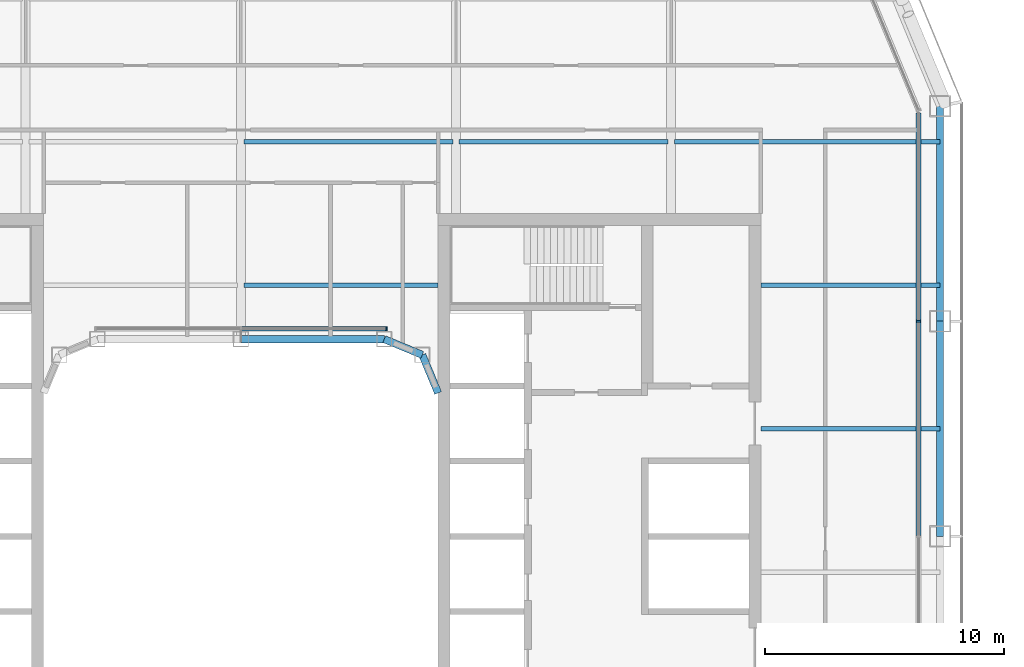
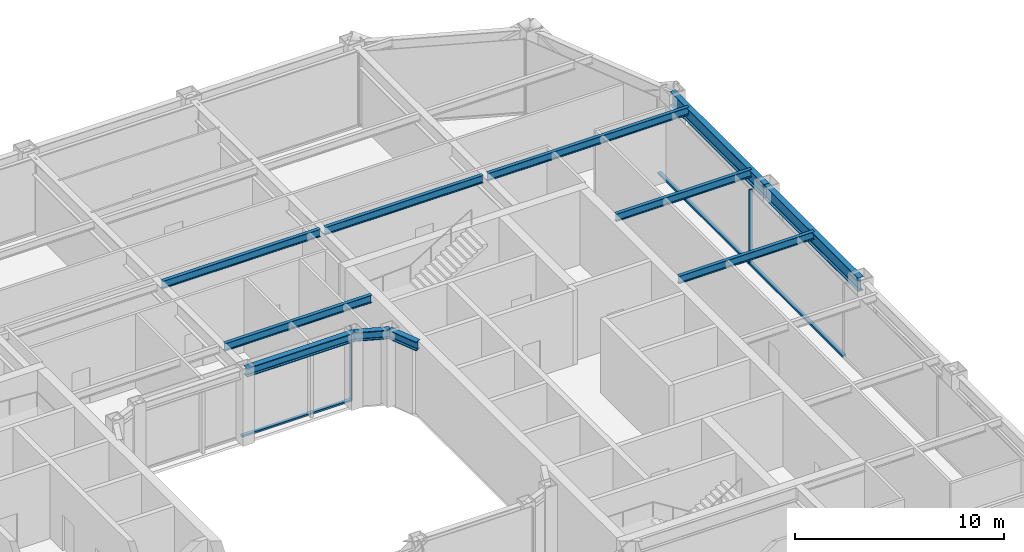
# One storey, part 8 of 23: 11 beams, 5 members, 2 elements without a shape of their own.
"""IFC4 building model written with IfcOpenShell, lengths in metres."""

from ifc_helpers import new_model, si_unit, direction, frame, origin, origin_2d, place, context, subcontext, project, spatial, rectangle, i_section, extrude, material, layer, layer_set, material_profile, profile_set, type_object, element, aggregate, save


model = new_model("IFC4")

# Units and contexts
model_context = context("Model", 3, precision=1e-05, world=origin(), true_north=direction((0.0, 1.0)))
body_context = subcontext(model_context, "Body", "Model", "MODEL_VIEW")
ifc_project = project(units=[si_unit("LENGTHUNIT", "METRE"), si_unit("AREAUNIT", "SQUARE_METRE"), si_unit("VOLUMEUNIT", "CUBIC_METRE"), si_unit("PLANEANGLEUNIT", "RADIAN"), si_unit("MASSUNIT", "GRAM", prefix="KILO")], contexts=[model_context])

# Site, building, storey
site_placement = place(None, origin())
site = spatial("IfcSite", under=ifc_project, at=site_placement, CompositionType="ELEMENT")
building_placement = place(site_placement, origin())
building = spatial("IfcBuilding", under=site, at=building_placement, Name="Siwar Civic Tower", CompositionType="ELEMENT")
storey_placement = place(building_placement, frame((0.0, 0.0, 145.199951171875)))
storey = spatial("IfcBuildingStorey", under=building, at=storey_placement, Name="L31", CompositionType="ELEMENT", Elevation=145.199951171875)

# Curtain wall, member
ifc_material_1 = material(Name="Aluminium and glass", Category="aluminium")
ifc_layer_1 = layer(ifc_material_1, 0.199951171875)
ifc_layer_set_1 = layer_set([ifc_layer_1], Name="Aluminium and glass")
curtain_wall_type_1 = type_object("IfcCurtainWallType", Name="ENV-CW-B", PredefinedType="NOTDEFINED", material=ifc_layer_set_1)
curtain_wall_1_placement = place(storey_placement, origin())
curtain_wall_1 = element("IfcCurtainWall", 1, at=curtain_wall_1_placement, inside=storey, type_object=curtain_wall_type_1, Name="Curtain wall B E", PredefinedType="NOTDEFINED")
ifc_material_2 = material(Name="Aluminium 6063-T6", Category="aluminium")
ifc_material_profile_1 = material_profile(ifc_material_2, rectangle(XDim=0.199951171875, YDim=0.06494140625, at=origin_2d()), Name="AL 200x65")
ifc_profile_set_1 = profile_set([ifc_material_profile_1], Name="Aluminium 6063-T6")
member_type_1 = type_object("IfcMemberType", Name="ENV-MULLION-B", PredefinedType="MULLION", material=ifc_profile_set_1)
member_1_placement = place(storey_placement, frame((28.35009765625, 9.0, 0.0), z_axis=(0.0, 0.0, 1.0), x_axis=(-1.0, 0.0, 0.0)))
member_1 = element("IfcMember", 2, at=member_1_placement, type_object=member_type_1, Name="Mullion B E 4", PredefinedType="MULLION", context=body_context, shape_type="SweptSolid", body=[
    extrude(rectangle(XDim=0.199951171875, YDim=0.06494140625, at=origin_2d()), origin(), (0.0, 0.0, 1.0), 4.35009765625),
])

ifc_material_3 = material(Name="Aluminium and glass", Category="aluminium")
ifc_layer_2 = layer(ifc_material_3, 0.179931640625)
ifc_layer_set_2 = layer_set([ifc_layer_2], Name="Aluminium and glass")
curtain_wall_type_2 = type_object("IfcCurtainWallType", Name="ENV-CW-W", PredefinedType="NOTDEFINED", material=ifc_layer_set_2)
curtain_wall_2_placement = place(storey_placement, origin())
curtain_wall_2 = element("IfcCurtainWall", 3, at=curtain_wall_2_placement, inside=storey, type_object=curtain_wall_type_2, Name="Curtain wall W WN", PredefinedType="NOTDEFINED")
ifc_material_4 = material(Name="Aluminium 6063-T6", Category="aluminium")
ifc_material_profile_2 = material_profile(ifc_material_4, rectangle(XDim=0.179931640625, YDim=0.06005859375, at=origin_2d()), Name="AL 180x60")
ifc_profile_set_2 = profile_set([ifc_material_profile_2], Name="Aluminium 6063-T6")
member_type_2 = type_object("IfcMemberType", Name="ENV-MULLION-W", PredefinedType="MULLION", material=ifc_profile_set_2)
member_2_placement = place(storey_placement, frame((6.08642578125, 8.68505859375, 0.0), z_axis=(0.0, 0.0, 1.0), x_axis=(0.0, -1.0, 0.0)))
member_2 = element("IfcMember", 4, at=member_2_placement, type_object=member_type_2, Name="Mullion W WN 1", PredefinedType="MULLION", context=body_context, shape_type="SweptSolid", body=[
    extrude(rectangle(XDim=0.179931640625, YDim=0.06005859375, at=origin_2d()), origin(), (0.0, 0.0, 1.0), 4.35009765625),
])

# Member
ifc_material_5 = material(Name="Aluminium 6063-T6", Category="aluminium")
ifc_material_profile_3 = material_profile(ifc_material_5, rectangle(XDim=0.199951171875, YDim=0.110107421875, at=origin_2d()), Name="AL 200x110")
ifc_profile_set_3 = profile_set([ifc_material_profile_3], Name="Aluminium 6063-T6")
member_type_3 = type_object("IfcMemberType", Name="ENV-TRANSOM-B", PredefinedType="USERDEFINED", material=ifc_profile_set_3)
member_3_placement = place(storey_placement, frame((28.35009765625, 0.032470703125, 0.054931640625), z_axis=(0.0, 1.0, 0.0), x_axis=(-1.0, 0.0, 0.0)))
member_3 = element("IfcMember", 5, at=member_3_placement, type_object=member_type_3, Name="Transom B E 3", ObjectType="TRANSOM", PredefinedType="USERDEFINED", context=body_context, shape_type="SweptSolid", body=[
    extrude(rectangle(XDim=0.199951171875, YDim=0.110107421875, at=origin_2d()), origin(), (0.0, 0.0, 1.0), 8.93505859375),
])

member_4_placement = place(storey_placement, frame((28.35009765625, 9.032470703125, 0.054931640625), z_axis=(0.0, 1.0, 0.0), x_axis=(-1.0, 0.0, 0.0)))
member_4 = element("IfcMember", 6, at=member_4_placement, type_object=member_type_3, Name="Transom B E 4", ObjectType="TRANSOM", PredefinedType="USERDEFINED", context=body_context, shape_type="SweptSolid", body=[
    extrude(rectangle(XDim=0.199951171875, YDim=0.110107421875, at=origin_2d()), origin(), (0.0, 0.0, 1.0), 8.6748046875),
])

aggregate(curtain_wall_1, [member_1, member_3, member_4])

ifc_material_6 = material(Name="Aluminium 6063-T6", Category="aluminium")
ifc_material_profile_4 = material_profile(ifc_material_6, rectangle(XDim=0.179931640625, YDim=0.10009765625, at=origin_2d()), Name="AL 180x100")
ifc_profile_set_4 = profile_set([ifc_material_profile_4], Name="Aluminium 6063-T6")
member_type_4 = type_object("IfcMemberType", Name="ENV-TRANSOM-W", PredefinedType="USERDEFINED", material=ifc_profile_set_4)
member_5_placement = place(storey_placement, frame((6.056640625, 8.68505859375, 0.050048828125), z_axis=(-1.0, 0.0, 0.0), x_axis=(0.0, -1.0, 0.0)))
member_5 = element("IfcMember", 7, at=member_5_placement, type_object=member_type_4, Name="Transom W WN 1", ObjectType="TRANSOM", PredefinedType="USERDEFINED", context=body_context, shape_type="SweptSolid", body=[
    extrude(rectangle(XDim=0.179931640625, YDim=0.10009765625, at=origin_2d()), origin(), (0.0, 0.0, 1.0), 6.026611328125),
])

aggregate(curtain_wall_2, [member_2, member_5])

# Beams
ifc_material_7 = material(Name="Steel S355", Category="steel")
ifc_material_profile_5 = material_profile(ifc_material_7, i_section(OverallWidth=0.18994140625, OverallDepth=0.449951171875, WebThickness=0.009521484375, FlangeThickness=0.0146484375, FilletRadius=0.02099609375, at=origin_2d()), Name="IPE450")
ifc_profile_set_5 = profile_set([ifc_material_profile_5], Name="Steel S355")
beam_type_1 = type_object("IfcBeamType", Name="STR-FB-IPE450", PredefinedType="JOIST", material=ifc_profile_set_5)
beam_1_placement = place(storey_placement, frame((21.75, 4.5, 4.125), z_axis=(1.0, 0.0, 0.0), x_axis=(0.0, 1.0, 0.0)))
element("IfcBeam", 8, at=beam_1_placement, inside=storey, type_object=beam_type_1, Name="L31/bm/F026", PredefinedType="JOIST", context=body_context, shape_type="SweptSolid", body=[
    extrude(i_section(OverallWidth=0.18994140625, OverallDepth=0.449951171875, WebThickness=0.009521484375, FlangeThickness=0.0146484375, FilletRadius=0.02099609375, at=origin_2d()), origin(), (0.0, 0.0, 1.0), 7.5),
])
beam_2_placement = place(storey_placement, frame((0.1298828125, 10.5, 4.125), z_axis=(1.0, 0.0, 0.0), x_axis=(0.0, 1.0, 0.0)))
element("IfcBeam", 9, at=beam_2_placement, inside=storey, type_object=beam_type_1, Name="L31/bm/F029", PredefinedType="JOIST", context=body_context, shape_type="SweptSolid", body=[
    extrude(i_section(OverallWidth=0.18994140625, OverallDepth=0.449951171875, WebThickness=0.009521484375, FlangeThickness=0.0146484375, FilletRadius=0.02099609375, at=origin_2d()), origin(), (0.0, 0.0, 1.0), 8.1201171875),
])
beam_3_placement = place(storey_placement, frame((21.75, 10.5, 4.125), z_axis=(1.0, 0.0, 0.0), x_axis=(0.0, 1.0, 0.0)))
element("IfcBeam", 10, at=beam_3_placement, inside=storey, type_object=beam_type_1, Name="L31/bm/F030", PredefinedType="JOIST", context=body_context, shape_type="SweptSolid", body=[
    extrude(i_section(OverallWidth=0.18994140625, OverallDepth=0.449951171875, WebThickness=0.009521484375, FlangeThickness=0.0146484375, FilletRadius=0.02099609375, at=origin_2d()), origin(), (0.0, 0.0, 1.0), 7.5),
])
for number, where, z_axis, x_axis, name in (
    (11, (0.1298828125, 16.5, 4.125), (1.0, 0.0, 0.0), (0.0, 1.0, 0.0), "L31/bm/F034"),
    (12, (9.1298828125, 16.5, 4.125), (1.0, 0.0, 0.0), (0.0, 1.0, 0.0), "L31/bm/F035"),
):
    element("IfcBeam", number, at=place(storey_placement, frame(where, z_axis=z_axis, x_axis=x_axis)), inside=storey, type_object=beam_type_1, Name=name, PredefinedType="JOIST", context=body_context, shape_type="SweptSolid", body=[
        extrude(i_section(OverallWidth=0.18994140625, OverallDepth=0.449951171875, WebThickness=0.009521484375, FlangeThickness=0.0146484375, FilletRadius=0.02099609375, at=origin_2d()), origin(), (0.0, 0.0, 1.0), 8.740234375),
    ])
beam_4_placement = place(storey_placement, frame((18.1298828125, 16.5, 4.125), z_axis=(1.0, 0.0, 0.0), x_axis=(0.0, 1.0, 0.0)))
element("IfcBeam", 13, at=beam_4_placement, inside=storey, type_object=beam_type_1, Name="L31/bm/F036", PredefinedType="JOIST", context=body_context, shape_type="SweptSolid", body=[
    extrude(i_section(OverallWidth=0.18994140625, OverallDepth=0.449951171875, WebThickness=0.009521484375, FlangeThickness=0.0146484375, FilletRadius=0.02099609375, at=origin_2d()), origin(), (0.0, 0.0, 1.0), 11.1201171875),
])
ifc_material_8 = material(Name="Steel S355", Category="steel")
ifc_material_profile_6 = material_profile(ifc_material_8, i_section(OverallWidth=0.305908203125, OverallDepth=0.52392578125, WebThickness=0.02099609375, FlangeThickness=0.0400390625, FilletRadius=0.027099609375, at=origin_2d()), Name="HEM500")
ifc_profile_set_6 = profile_set([ifc_material_profile_6], Name="Steel S355")
beam_type_2 = type_object("IfcBeamType", Name="STR-RB-HEM500", PredefinedType="BEAM", material=ifc_profile_set_6)
beam_5_placement = place(storey_placement, frame((0.0, 8.25, 4.088134765625), z_axis=(1.0, 0.0, 0.0), x_axis=(0.0, 1.0, 0.0)))
element("IfcBeam", 14, at=beam_5_placement, inside=storey, type_object=beam_type_2, Name="L31/bm/RN2", PredefinedType="BEAM", context=body_context, shape_type="SweptSolid", body=[
    extrude(i_section(OverallWidth=0.305908203125, OverallDepth=0.52392578125, WebThickness=0.02099609375, FlangeThickness=0.0400390625, FilletRadius=0.027099609375, at=origin_2d()), origin(), (0.0, 0.0, 1.0), 6.0),
])
for number, where, z_axis, x_axis, name in (
    (15, (6.0, 8.25, 4.088134765625), (0.923901072997, -0.382631424892, 0.0), (0.382631424892, 0.923901072997, 0.0), "L31/bm/RN3"),
    (16, (7.591064453125, 7.591064453125, 4.088134765625), (0.382631424892, -0.923901072997, 0.0), (0.923901072997, 0.382631424892, 0.0), "L31/bm/RNEE"),
):
    element("IfcBeam", number, at=place(storey_placement, frame(where, z_axis=z_axis, x_axis=x_axis)), inside=storey, type_object=beam_type_2, Name=name, PredefinedType="BEAM", context=body_context, shape_type="SweptSolid", body=[
        extrude(i_section(OverallWidth=0.305908203125, OverallDepth=0.52392578125, WebThickness=0.02099609375, FlangeThickness=0.0400390625, FilletRadius=0.027099609375, at=origin_2d()), origin(), (0.0, 0.0, 1.0), 1.72216796875),
    ])
ifc_material_9 = material(Name="Steel S355", Category="steel")
ifc_material_profile_7 = material_profile(ifc_material_9, i_section(OverallWidth=0.300048828125, OverallDepth=0.800048828125, WebThickness=0.017578125, FlangeThickness=0.032958984375, FilletRadius=0.030029296875, at=origin_2d()), Name="HEB800")
ifc_profile_set_7 = profile_set([ifc_material_profile_7], Name="Steel S355")
beam_type_3 = type_object("IfcBeamType", Name="STR-SB-HEB800", PredefinedType="BEAM", material=ifc_profile_set_7)
for number, where, z_axis, x_axis, name in (
    (17, (29.25, 0.0, 3.949951171875), (0.0, 1.0, 0.0), (-1.0, 0.0, 0.0), "L31/bm/SE-2"),
    (18, (29.25, 9.0, 3.949951171875), (0.0, 1.0, 0.0), (-1.0, 0.0, 0.0), "L31/bm/SE-3"),
):
    element("IfcBeam", number, at=place(storey_placement, frame(where, z_axis=z_axis, x_axis=x_axis)), inside=storey, type_object=beam_type_3, Name=name, PredefinedType="BEAM", context=body_context, shape_type="SweptSolid", body=[
        extrude(i_section(OverallWidth=0.300048828125, OverallDepth=0.800048828125, WebThickness=0.017578125, FlangeThickness=0.032958984375, FilletRadius=0.030029296875, at=origin_2d()), origin(), (0.0, 0.0, 1.0), 9.0),
    ])

save(model, "model.ifc")
